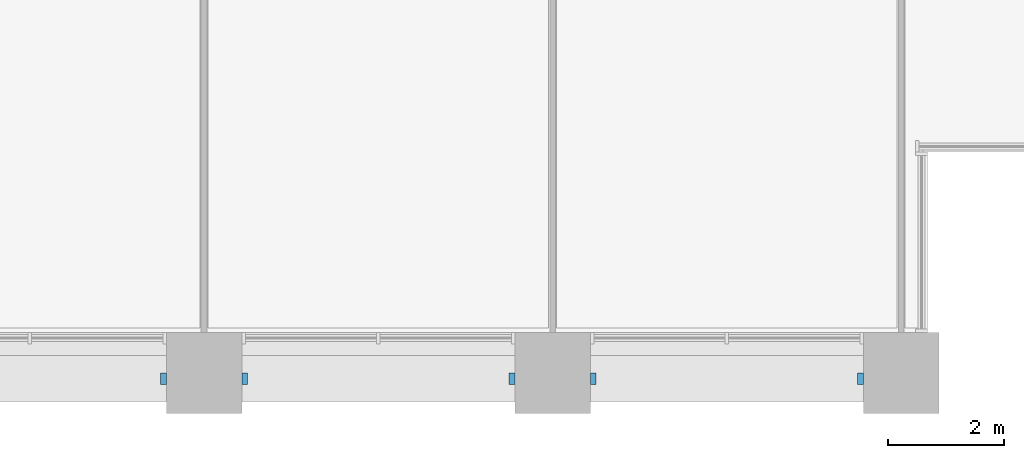
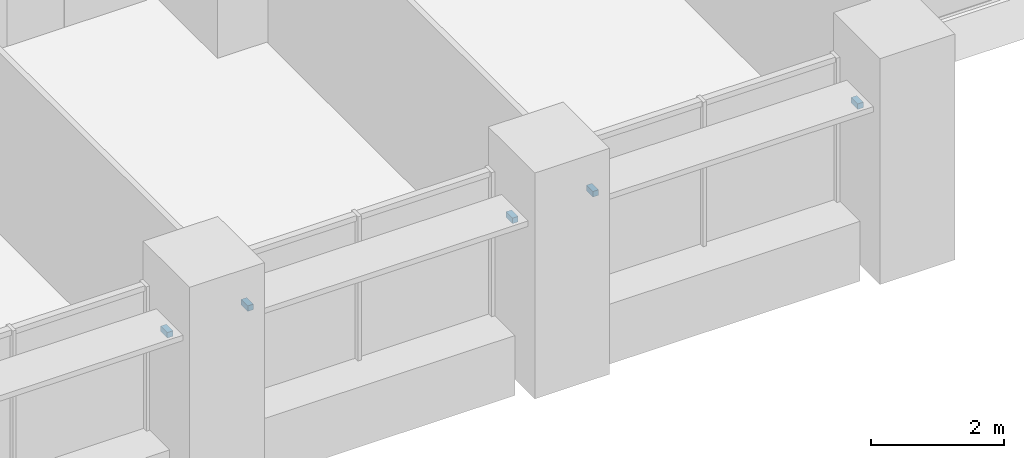
# One storey, part 16 of 18: 5 discrete accessories.
"""IFC4 building model written with IfcOpenShell, lengths in metres."""

from ifc_helpers import new_model, si_unit, direction, frame, origin, origin_2d, place, context, subcontext, project, spatial, rectangle, extrude, element, save


model = new_model("IFC4")

# Units and contexts
model_context = context("Model", 3, precision=1e-05, world=origin(), true_north=direction((0.0, 1.0)))
body_context = subcontext(model_context, "Body", "Model", "MODEL_VIEW")
ifc_project = project(units=[si_unit("LENGTHUNIT", "METRE"), si_unit("AREAUNIT", "SQUARE_METRE"), si_unit("VOLUMEUNIT", "CUBIC_METRE"), si_unit("PLANEANGLEUNIT", "RADIAN"), si_unit("MASSUNIT", "GRAM", prefix="KILO")], contexts=[model_context])

# Site, building, storey
site_placement = place(None, origin())
site = spatial("IfcSite", under=ifc_project, at=site_placement, CompositionType="ELEMENT")
building_placement = place(site_placement, origin())
building = spatial("IfcBuilding", under=site, at=building_placement, Name="Calvaro Tower", CompositionType="ELEMENT")
storey_placement = place(building_placement, frame((0.0, 0.0, 22.5)))
storey = spatial("IfcBuildingStorey", under=building, at=storey_placement, Name="L04", CompositionType="ELEMENT", Elevation=22.5)

# Discrete accessories
for number, where, z_axis, x_axis, name in (
    (1, (59.300048828125, 0.60009765625, 2.14990234375), (0.0, 0.0, 1.0), (1.0, 0.0, 0.0), "Brise-soleil bracket"),
    (2, (60.699951171875, 0.60009765625, 2.14990234375), (0.0, 0.0, 1.0), (1.0, 0.0, 0.0), "Brise-soleil bracket"),
    (3, (65.300048828125, 0.60009765625, 2.14990234375), (0.0, 0.0, 1.0), (1.0, 0.0, 0.0), "Brise-soleil bracket"),
    (4, (66.699951171875, 0.60009765625, 2.14990234375), (0.0, 0.0, 1.0), (1.0, 0.0, 0.0), "Brise-soleil bracket"),
    (5, (71.300048828125, 0.60009765625, 2.14990234375), (0.0, 0.0, 1.0), (1.0, 0.0, 0.0), "Brise-soleil bracket"),
):
    element("IfcDiscreteAccessory", number, at=place(storey_placement, frame(where, z_axis=z_axis, x_axis=x_axis)), inside=storey, Name=name, PredefinedType="BRACKET", context=body_context, shape_type="SweptSolid", body=[
        extrude(rectangle(XDim=0.10009765625, YDim=0.199951171875, at=origin_2d()), origin(), (0.0, 0.0, 1.0), 0.10009765625),
    ])

save(model, "model.ifc")
